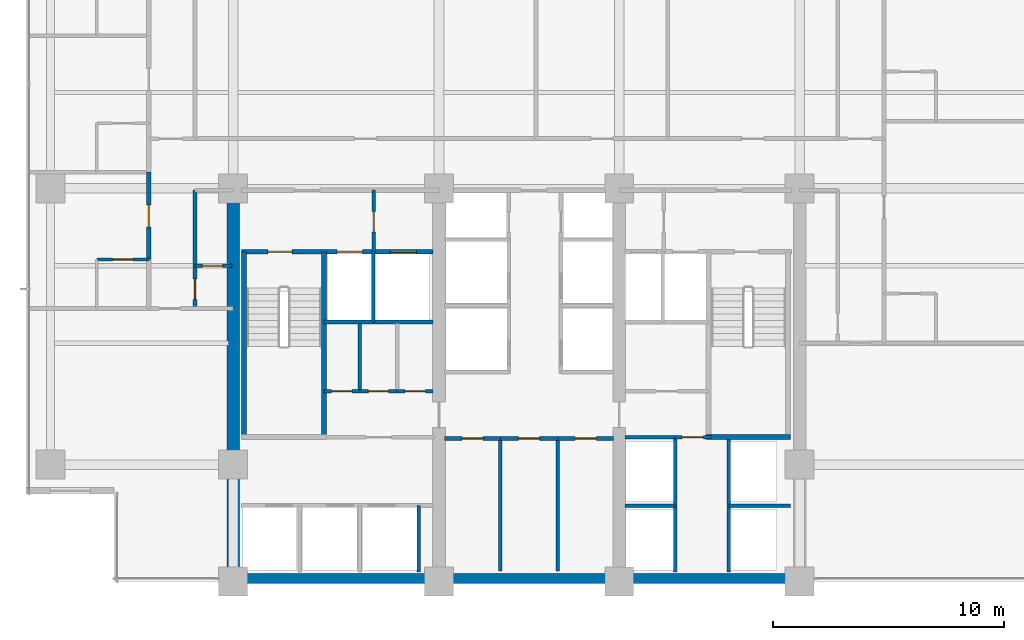
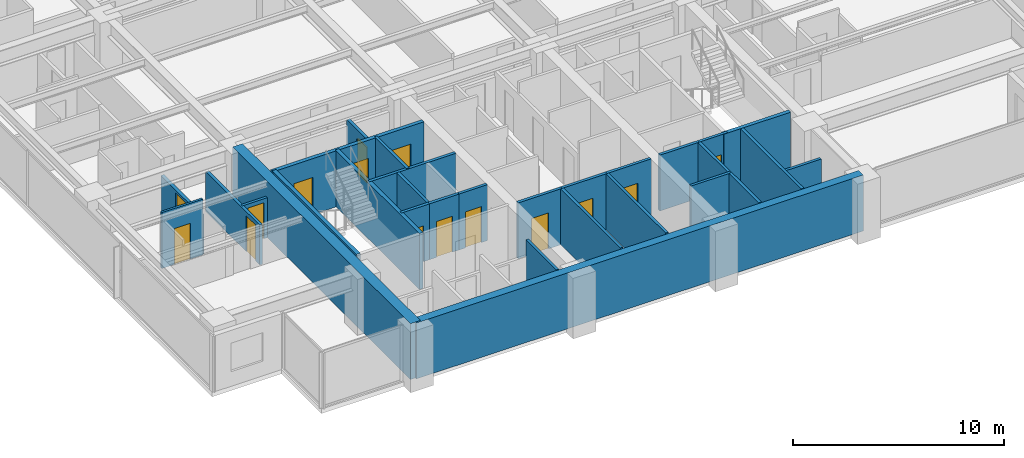
# One storey, part 8 of 18: 29 walls, 15 doors, 15 openings.
"""IFC4 building model written with IfcOpenShell, lengths in metres."""

from ifc_helpers import new_model, si_unit, direction, frame, frame_2d, origin, place, context, subcontext, project, spatial, rectangle, extrude, material, layer, layer_set, type_object, element, fill, save


model = new_model("IFC4")

# Units and contexts
model_context = context("Model", 3, precision=1e-05, world=origin(), true_north=direction((0.0, 1.0)))
body_context = subcontext(model_context, "Body", "Model", "MODEL_VIEW")
ifc_project = project(units=[si_unit("LENGTHUNIT", "METRE"), si_unit("AREAUNIT", "SQUARE_METRE"), si_unit("VOLUMEUNIT", "CUBIC_METRE"), si_unit("PLANEANGLEUNIT", "RADIAN"), si_unit("MASSUNIT", "GRAM", prefix="KILO")], contexts=[model_context])

# Site, building, storey
site_placement = place(None, origin())
site = spatial("IfcSite", under=ifc_project, at=site_placement, CompositionType="ELEMENT")
building_placement = place(site_placement, origin())
building = spatial("IfcBuilding", under=site, at=building_placement, Name="Qalmaran Belvedere Hotel", CompositionType="ELEMENT")
storey_placement = place(building_placement, frame((0.0, 0.0, 95.199951171875)))
storey = spatial("IfcBuildingStorey", under=building, at=storey_placement, Name="L23", CompositionType="ELEMENT", Elevation=95.199951171875)

# Walls
ifc_material_1 = material(Name="Concrete C60/75", Category="concrete")
ifc_layer_1 = layer(ifc_material_1, 0.550048828125, Name="Concrete C60/75")
ifc_layer_set_1 = layer_set([ifc_layer_1], Name="Concrete C60/75")
wall_type_1 = type_object("IfcWallType", Name="WL-CORE-550-C60", PredefinedType="SHEAR", material=ifc_layer_set_1)
wall_1_placement = place(storey_placement, frame((20.300048828125, 3.5, 0.0), z_axis=(0.0, 0.0, 1.0), x_axis=(0.0, 1.0, 0.0)))
element("IfcWall", 1, at=wall_1_placement, inside=storey, type_object=wall_type_1, Name="L23 West Core Shear Wall", PredefinedType="SHEAR", context=body_context, shape_type="SweptSolid", body=[
    extrude(rectangle(XDim=16.89990234375, YDim=0.550048828125, at=frame_2d((8.449951171875, 0.0))), origin(), (0.0, 0.0, 1.0), 3.239990234375),
])
ifc_material_2 = material(Name="Concrete C50/60", Category="concrete")
ifc_layer_2 = layer(ifc_material_2, 0.43994140625, Name="Concrete C50/60")
ifc_layer_set_2 = layer_set([ifc_layer_2], Name="Concrete C50/60")
wall_type_2 = type_object("IfcWallType", Name="WL-CORES-440-EXT", PredefinedType="SHEAR", material=ifc_layer_set_2)
wall_2_placement = place(storey_placement, frame((20.300048828125, 3.6298828125, 0.0), z_axis=(0.0, 0.0, 1.0), x_axis=(1.0, 0.0, 0.0)))
element("IfcWall", 2, at=wall_2_placement, inside=storey, type_object=wall_type_2, Name="L23 South Core Shear Wall", PredefinedType="SHEAR", context=body_context, shape_type="SweptSolid", body=[
    extrude(rectangle(XDim=24.5, YDim=0.43994140625, at=frame_2d((12.25, 0.0))), origin(), (0.0, 0.0, 1.0), 3.239990234375),
])

# Wall, opening, door
ifc_material_3 = material(Name="Moisture-Resistant Gypsum")
ifc_layer_3 = layer(ifc_material_3, 0.1201171875, Name="Moisture-Resistant Gypsum")
ifc_layer_set_3 = layer_set([ifc_layer_3], Name="Moisture-Resistant Gypsum")
wall_type_3 = type_object("IfcWallType", Name="WL-INT-120-BATH", PredefinedType="PARTITIONING", material=ifc_layer_set_3)
wall_3_placement = place(storey_placement, frame((14.39990234375, 17.419921875, 0.0), z_axis=(0.0, 0.0, 1.0), x_axis=(1.0, 0.0, 0.0)))
wall_3 = element("IfcWall", 3, at=wall_3_placement, inside=storey, type_object=wall_type_3, Name="L23 Partition WL-L23-WBN00", PredefinedType="PARTITIONING", context=body_context, shape_type="SweptSolid", body=[
    extrude(rectangle(XDim=2.25, YDim=0.1201171875, at=frame_2d((1.125, 0.0))), origin(), (0.0, 0.0, 1.0), 3.239990234375),
])
opening_1_placement = place(wall_3_placement, frame((1.56494140625, 0.0, 0.0), z_axis=(0.0, 0.0, 1.0), x_axis=(-1.0, 0.0, 0.0)))
opening_1 = element("IfcOpeningElement", 4, at=opening_1_placement, cuts=wall_3, Name="Opening D-BATH", PredefinedType="OPENING", context=body_context, shape_type="SweptSolid", body=[
    extrude(rectangle(XDim=0.8798828125, YDim=2.080078125, at=frame_2d((0.43994140625, 1.0400390625))), frame((0.0, 0.070068359375, 0.0), z_axis=(0.0, -1.0, 0.0), x_axis=(1.0, 0.0, 0.0)), (0.0, 0.0, 1.0), 0.14013671875),
])
ifc_material_4 = material(Name="Engineered Oak Veneer")
door_type_1 = type_object("IfcDoorType", Name="DR-INT-BATH-880X2080", OperationType="NOTDEFINED", PredefinedType="DOOR", material=ifc_material_4)
door_1_placement = place(opening_1_placement, origin())
door_1 = element("IfcDoor", 5, at=door_1_placement, inside=storey, type_object=door_type_1, Name="L23 W Ensuite Door 01", OperationType="SINGLE_SWING_LEFT", OverallHeight=2.080078125, OverallWidth=0.8798828125, PredefinedType="DOOR", context=body_context, shape_type="SweptSolid", body=[
    extrude(rectangle(XDim=0.8798828125, YDim=2.080078125, at=frame_2d((0.43994140625, 1.0400390625))), frame((0.0, 0.02490234375, 0.0), z_axis=(0.0, -1.0, 0.0), x_axis=(1.0, 0.0, 0.0)), (0.0, 0.0, 1.0), 0.050048828125),
])
fill(opening_1, door_1)

ifc_material_5 = material(Name="Gypsum Stud Partition")
ifc_layer_4 = layer(ifc_material_5, 0.139892578125, Name="Gypsum Stud Partition")
ifc_layer_set_4 = layer_set([ifc_layer_4], Name="Gypsum Stud Partition")
wall_type_4 = type_object("IfcWallType", Name="WL-INT-140-NR", PredefinedType="PARTITIONING", material=ifc_layer_set_4)
wall_4_placement = place(storey_placement, frame((18.64990234375, 17.14990234375, 0.0), z_axis=(0.0, 0.0, 1.0), x_axis=(1.0, 0.0, 0.0)))
wall_4 = element("IfcWall", 6, at=wall_4_placement, inside=storey, type_object=wall_type_4, Name="L23 Partition WL-L23-WCLSUB", PredefinedType="PARTITIONING", context=body_context, shape_type="SweptSolid", body=[
    extrude(rectangle(XDim=1.60009765625, YDim=0.139892578125, at=frame_2d((0.800048828125, 0.0))), origin(), (0.0, 0.0, 1.0), 2.31298828125),
])
opening_2_placement = place(wall_4_placement, frame((1.193115234375, 0.0, 0.0), z_axis=(0.0, 0.0, 1.0), x_axis=(-1.0, 0.0, 0.0)))
opening_2 = element("IfcOpeningElement", 7, at=opening_2_placement, cuts=wall_4, Name="Opening D-BATH", PredefinedType="OPENING", context=body_context, shape_type="SweptSolid", body=[
    extrude(rectangle(XDim=0.8798828125, YDim=2.080078125, at=frame_2d((0.43994140625, 1.0400390625))), frame((0.0, 0.080078125, 0.0), z_axis=(0.0, -1.0, 0.0), x_axis=(1.0, 0.0, 0.0)), (0.0, 0.0, 1.0), 0.159912109375),
])
door_2_placement = place(opening_2_placement, origin())
door_2 = element("IfcDoor", 8, at=door_2_placement, inside=storey, type_object=door_type_1, Name="L23 Closet Alcove Door", OperationType="SINGLE_SWING_RIGHT", OverallHeight=2.080078125, OverallWidth=0.8798828125, PredefinedType="DOOR", context=body_context, shape_type="SweptSolid", body=[
    extrude(rectangle(XDim=0.8798828125, YDim=2.080078125, at=frame_2d((0.43994140625, 1.0400390625))), frame((0.0, 0.02490234375, 0.0), z_axis=(0.0, -1.0, 0.0), x_axis=(1.0, 0.0, 0.0)), (0.0, 0.0, 1.0), 0.050048828125),
])
fill(opening_2, door_2)

# Walls
ifc_layer_5 = layer(ifc_material_5, 0.14990234375, Name="Gypsum Stud Partition")
ifc_layer_set_5 = layer_set([ifc_layer_5], Name="Gypsum Stud Partition")
wall_type_5 = type_object("IfcWallType", Name="WL-INT-150-EI120", PredefinedType="PARTITIONING", material=ifc_layer_set_5)
wall_5_placement = place(storey_placement, frame((26.360107421875, 14.719970703125, 0.0), z_axis=(0.0, 0.0, 1.0), x_axis=(0.0, 1.0, 0.0)))
element("IfcWall", 9, at=wall_5_placement, inside=storey, type_object=wall_type_5, Name="L23 Partition WL-FF1M-L23", PredefinedType="PARTITIONING", context=body_context, shape_type="SweptSolid", body=[
    extrude(rectangle(XDim=3.0400390625, YDim=0.14990234375, at=frame_2d((1.52001953125, 0.0))), origin(), (0.0, 0.0, 1.0), 3.239990234375),
])
wall_6_placement = place(storey_placement, frame((28.320068359375, 3.89990234375, 0.0), z_axis=(0.0, 0.0, 1.0), x_axis=(0.0, 1.0, 0.0)))
element("IfcWall", 10, at=wall_6_placement, inside=storey, type_object=wall_type_5, Name="L23 Partition WL-POM3-L23", PredefinedType="PARTITIONING", context=body_context, shape_type="SweptSolid", body=[
    extrude(rectangle(XDim=2.880126953125, YDim=0.14990234375, at=frame_2d((1.43994140625, 0.0))), origin(), (0.0, 0.0, 1.0), 3.239990234375),
])
wall_7_placement = place(storey_placement, frame((37.25, 6.780029296875, 0.0), z_axis=(0.0, 0.0, 1.0), x_axis=(1.0, 0.0, 0.0)))
element("IfcWall", 11, at=wall_7_placement, inside=storey, type_object=wall_type_5, Name="L23 Partition WL-PHMW-L23", PredefinedType="PARTITIONING", context=body_context, shape_type="SweptSolid", body=[
    extrude(rectangle(XDim=2.169921875, YDim=0.14990234375, at=frame_2d((1.0849609375, 0.0))), origin(), (0.0, 0.0, 1.0), 3.239990234375),
])
wall_8_placement = place(storey_placement, frame((41.739990234375, 6.780029296875, 0.0), z_axis=(0.0, 0.0, 1.0), x_axis=(1.0, 0.0, 0.0)))
element("IfcWall", 12, at=wall_8_placement, inside=storey, type_object=wall_type_5, Name="L23 Partition WL-PHME-L23", PredefinedType="PARTITIONING", context=body_context, shape_type="SweptSolid", body=[
    extrude(rectangle(XDim=2.659912109375, YDim=0.14990234375, at=frame_2d((1.330078125, 0.0))), origin(), (0.0, 0.0, 1.0), 2.31298828125),
])
ifc_layer_6 = layer(ifc_material_5, 0.14990234375, Name="Gypsum Stud Partition")
ifc_layer_set_6 = layer_set([ifc_layer_6], Name="Gypsum Stud Partition")
wall_type_6 = type_object("IfcWallType", Name="WL-INT-150-EI60", PredefinedType="PARTITIONING", material=ifc_layer_set_6)
wall_9_placement = place(storey_placement, frame((25.781005859375, 11.719970703125, 0.0), z_axis=(0.0, 0.0, 1.0), x_axis=(0.0, 1.0, 0.0)))
element("IfcWall", 13, at=wall_9_placement, inside=storey, type_object=wall_type_6, Name="L23 Partition WL-L23-KWV1", PredefinedType="PARTITIONING", context=body_context, shape_type="SweptSolid", body=[
    extrude(rectangle(XDim=2.929931640625, YDim=0.14990234375, at=frame_2d((1.46484375, 0.0))), origin(), (0.0, 0.0, 1.0), 3.239990234375),
])
for number, where, z_axis, x_axis, name in (
    (14, (31.85888671875, 3.949951171875, 0.0), (0.0, 0.0, 1.0), (0.0, 1.0, 0.0), "L23 Partition WL-L23-KPLV1"),
    (15, (34.341064453125, 3.949951171875, 0.0), (0.0, 0.0, 1.0), (0.0, 1.0, 0.0), "L23 Partition WL-L23-KPLV2"),
):
    element("IfcWall", number, at=place(storey_placement, frame(where, z_axis=z_axis, x_axis=x_axis)), inside=storey, type_object=wall_type_6, Name=name, PredefinedType="PARTITIONING", context=body_context, shape_type="SweptSolid", body=[
        extrude(rectangle(XDim=5.72998046875, YDim=0.14990234375, at=frame_2d((2.864990234375, 0.0))), origin(), (0.0, 0.0, 1.0), 3.239990234375),
    ])

# Wall, opening, door
ifc_layer_7 = layer(ifc_material_5, 0.159912109375, Name="Gypsum Stud Partition")
ifc_layer_set_7 = layer_set([ifc_layer_7], Name="Gypsum Stud Partition")
wall_type_7 = type_object("IfcWallType", Name="WL-INT-160-EI120", PredefinedType="PARTITIONING", material=ifc_layer_set_7)
wall_10_placement = place(storey_placement, frame((26.3798828125, 17.760009765625, 0.0), z_axis=(0.0, 0.0, 1.0), x_axis=(0.0, 1.0, 0.0)))
wall_10 = element("IfcWall", 16, at=wall_10_placement, inside=storey, type_object=wall_type_7, Name="L23 Partition WL-FFSV1-L23", PredefinedType="PARTITIONING", context=body_context, shape_type="SweptSolid", body=[
    extrude(rectangle(XDim=2.659912109375, YDim=0.159912109375, at=frame_2d((1.330078125, 0.0))), origin(), (0.0, 0.0, 1.0), 2.614013671875),
])
opening_3_placement = place(wall_10_placement, frame((0.85009765625, 0.0, 0.0)))
opening_3 = element("IfcOpeningElement", 17, at=opening_3_placement, cuts=wall_10, Name="Opening FD60B", PredefinedType="OPENING", context=body_context, shape_type="SweptSolid", body=[
    extrude(rectangle(XDim=0.8798828125, YDim=2.080078125, at=frame_2d((0.43994140625, 1.0400390625))), frame((0.0, 0.08984375, 0.0), z_axis=(0.0, -1.0, 0.0), x_axis=(1.0, 0.0, 0.0)), (0.0, 0.0, 1.0), 0.179931640625),
])
ifc_material_6 = material(Name="Steel S355JR", Category="steel")
door_type_2 = type_object("IfcDoorType", Name="DR-FD60B-880X2080", OperationType="NOTDEFINED", PredefinedType="DOOR", material=ifc_material_6)
door_3_placement = place(opening_3_placement, origin())
door_3 = element("IfcDoor", 18, at=door_3_placement, inside=storey, type_object=door_type_2, Name="L23 Service Lobby West Door", OperationType="SINGLE_SWING_RIGHT", OverallHeight=2.080078125, OverallWidth=0.8798828125, PredefinedType="DOOR", context=body_context, shape_type="SweptSolid", body=[
    extrude(rectangle(XDim=0.8798828125, YDim=2.080078125, at=frame_2d((0.43994140625, 1.0400390625))), frame((0.0, 0.02490234375, 0.0), z_axis=(0.0, -1.0, 0.0), x_axis=(1.0, 0.0, 0.0)), (0.0, 0.0, 1.0), 0.050048828125),
])
fill(opening_3, door_3)

# Walls
wall_11_placement = place(storey_placement, frame((24.219970703125, 14.719970703125, 0.0), z_axis=(0.0, 0.0, 1.0), x_axis=(1.0, 0.0, 0.0)))
element("IfcWall", 19, at=wall_11_placement, inside=storey, type_object=wall_type_7, Name="L23 Partition WL-FF1S-L23", PredefinedType="PARTITIONING", context=body_context, shape_type="SweptSolid", body=[
    extrude(rectangle(XDim=4.72998046875, YDim=0.159912109375, at=frame_2d((2.364990234375, 0.0))), origin(), (0.0, 0.0, 1.0), 3.239990234375),
])
for number, where, z_axis, x_axis, name in (
    (20, (39.419921875, 3.89990234375, 0.0), (0.0, 0.0, 1.0), (0.0, 1.0, 0.0), "L23 Partition WL-PHW-L23"),
    (21, (41.739990234375, 3.89990234375, 0.0), (0.0, 0.0, 1.0), (0.0, 1.0, 0.0), "L23 Partition WL-PHE-L23"),
):
    element("IfcWall", number, at=place(storey_placement, frame(where, z_axis=z_axis, x_axis=x_axis)), inside=storey, type_object=wall_type_7, Name=name, PredefinedType="PARTITIONING", context=body_context, shape_type="SweptSolid", body=[
        extrude(rectangle(XDim=5.840087890625, YDim=0.159912109375, at=frame_2d((2.919921875, 0.0))), origin(), (0.0, 0.0, 1.0), 3.239990234375),
    ])
wall_12_placement = place(storey_placement, frame((37.25, 9.739990234375, 0.0), z_axis=(0.0, 0.0, 1.0), x_axis=(1.0, 0.0, 0.0)))
element("IfcWall", 22, at=wall_12_placement, inside=storey, type_object=wall_type_7, Name="L23 Partition WL-PHNW-L23", PredefinedType="PARTITIONING", context=body_context, shape_type="SweptSolid", body=[
    extrude(rectangle(XDim=2.169921875, YDim=0.159912109375, at=frame_2d((1.0849609375, 0.0))), origin(), (0.0, 0.0, 1.0), 3.239990234375),
])

# Wall, opening, door
wall_13_placement = place(storey_placement, frame((39.419921875, 9.739990234375, 0.0), z_axis=(0.0, 0.0, 1.0), x_axis=(1.0, 0.0, 0.0)))
wall_13 = element("IfcWall", 23, at=wall_13_placement, inside=storey, type_object=wall_type_7, Name="L23 Partition WL-PHNL-L23", PredefinedType="PARTITIONING", context=body_context, shape_type="SweptSolid", body=[
    extrude(rectangle(XDim=1.56005859375, YDim=0.159912109375, at=frame_2d((0.780029296875, 0.0))), origin(), (0.0, 0.0, 1.0), 3.239990234375),
])
opening_4_placement = place(wall_13_placement, frame((0.300048828125, 0.0, 0.0)))
opening_4 = element("IfcOpeningElement", 24, at=opening_4_placement, cuts=wall_13, Name="Opening FD60S1", PredefinedType="OPENING", context=body_context, shape_type="SweptSolid", body=[
    extrude(rectangle(XDim=0.919921875, YDim=2.080078125, at=frame_2d((0.4599609375, 1.0400390625))), frame((0.0, 0.08984375, 0.0), z_axis=(0.0, -1.0, 0.0), x_axis=(1.0, 0.0, 0.0)), (0.0, 0.0, 1.0), 0.179931640625),
])
door_type_3 = type_object("IfcDoorType", Name="DR-FD60S-920X2080", OperationType="NOTDEFINED", PredefinedType="DOOR", material=ifc_material_4)
door_4_placement = place(opening_4_placement, origin())
door_4 = element("IfcDoor", 25, at=door_4_placement, inside=storey, type_object=door_type_3, Name="L23 High-Rise Lift Lobby Passage Door", OperationType="SINGLE_SWING_RIGHT", OverallHeight=2.080078125, OverallWidth=0.919921875, PredefinedType="DOOR", context=body_context, shape_type="SweptSolid", body=[
    extrude(rectangle(XDim=0.919921875, YDim=2.080078125, at=frame_2d((0.4599609375, 1.0400390625))), frame((0.0, 0.02490234375, 0.0), z_axis=(0.0, -1.0, 0.0), x_axis=(1.0, 0.0, 0.0)), (0.0, 0.0, 1.0), 0.050048828125),
])
fill(opening_4, door_4)

ifc_layer_8 = layer(ifc_material_5, 0.159912109375, Name="Gypsum Stud Partition")
ifc_layer_set_8 = layer_set([ifc_layer_8], Name="Gypsum Stud Partition")
wall_type_8 = type_object("IfcWallType", Name="WL-INT-160-EI60", PredefinedType="PARTITIONING", material=ifc_layer_set_8)
wall_14_placement = place(storey_placement, frame((24.219970703125, 11.719970703125, 0.0), z_axis=(0.0, 0.0, 1.0), x_axis=(1.0, 0.0, 0.0)))
wall_14 = element("IfcWall", 26, at=wall_14_placement, inside=storey, type_object=wall_type_8, Name="L23 Partition WL-L23-KWE1", PredefinedType="PARTITIONING", context=body_context, shape_type="SweptSolid", body=[
    extrude(rectangle(XDim=1.56103515625, YDim=0.159912109375, at=frame_2d((0.780517578125, 0.0))), origin(), (0.0, 0.0, 1.0), 3.239990234375),
])
opening_5_placement = place(wall_14_placement, frame((0.340576171875, 0.0, 0.0)))
opening_5 = element("IfcOpeningElement", 27, at=opening_5_placement, cuts=wall_14, Name="Opening FD60B", PredefinedType="OPENING", context=body_context, shape_type="SweptSolid", body=[
    extrude(rectangle(XDim=0.8798828125, YDim=2.080078125, at=frame_2d((0.43994140625, 1.0400390625))), frame((0.0, 0.08984375, 0.0), z_axis=(0.0, -1.0, 0.0), x_axis=(1.0, 0.0, 0.0)), (0.0, 0.0, 1.0), 0.179931640625),
])
door_5_placement = place(opening_5_placement, origin())
door_5 = element("IfcDoor", 28, at=door_5_placement, inside=storey, type_object=door_type_2, Name="L23 Staff Core WC Door", OperationType="SINGLE_SWING_LEFT", OverallHeight=2.080078125, OverallWidth=0.8798828125, PredefinedType="DOOR", context=body_context, shape_type="SweptSolid", body=[
    extrude(rectangle(XDim=0.8798828125, YDim=2.080078125, at=frame_2d((0.43994140625, 1.0400390625))), frame((0.0, 0.02490234375, 0.0), z_axis=(0.0, -1.0, 0.0), x_axis=(1.0, 0.0, 0.0)), (0.0, 0.0, 1.0), 0.050048828125),
])
fill(opening_5, door_5)

wall_15_placement = place(storey_placement, frame((25.781005859375, 11.719970703125, 0.0), z_axis=(0.0, 0.0, 1.0), x_axis=(1.0, 0.0, 0.0)))
wall_15 = element("IfcWall", 29, at=wall_15_placement, inside=storey, type_object=wall_type_8, Name="L23 Partition WL-L23-KWE2", PredefinedType="PARTITIONING", context=body_context, shape_type="SweptSolid", body=[
    extrude(rectangle(XDim=1.608154296875, YDim=0.159912109375, at=frame_2d((0.80419921875, 0.0))), origin(), (0.0, 0.0, 1.0), 3.239990234375),
])
opening_6_placement = place(wall_15_placement, frame((0.364013671875, 0.0, 0.0)))
opening_6 = element("IfcOpeningElement", 30, at=opening_6_placement, cuts=wall_15, Name="Opening FD60B", PredefinedType="OPENING", context=body_context, shape_type="SweptSolid", body=[
    extrude(rectangle(XDim=0.8798828125, YDim=2.080078125, at=frame_2d((0.43994140625, 1.0400390625))), frame((0.0, 0.08984375, 0.0), z_axis=(0.0, -1.0, 0.0), x_axis=(1.0, 0.0, 0.0)), (0.0, 0.0, 1.0), 0.179931640625),
])
door_6_placement = place(opening_6_placement, origin())
door_6 = element("IfcDoor", 31, at=door_6_placement, inside=storey, type_object=door_type_2, Name="L23 Electrical Distribution Room Door", OperationType="SINGLE_SWING_RIGHT", OverallHeight=2.080078125, OverallWidth=0.8798828125, PredefinedType="DOOR", context=body_context, shape_type="SweptSolid", body=[
    extrude(rectangle(XDim=0.8798828125, YDim=2.080078125, at=frame_2d((0.43994140625, 1.0400390625))), frame((0.0, 0.02490234375, 0.0), z_axis=(0.0, -1.0, 0.0), x_axis=(1.0, 0.0, 0.0)), (0.0, 0.0, 1.0), 0.050048828125),
])
fill(opening_6, door_6)

wall_16_placement = place(storey_placement, frame((27.38916015625, 11.719970703125, 0.0), z_axis=(0.0, 0.0, 1.0), x_axis=(1.0, 0.0, 0.0)))
wall_16 = element("IfcWall", 32, at=wall_16_placement, inside=storey, type_object=wall_type_8, Name="L23 Partition WL-L23-KWE3", PredefinedType="PARTITIONING", context=body_context, shape_type="SweptSolid", body=[
    extrude(rectangle(XDim=1.560791015625, YDim=0.159912109375, at=frame_2d((0.7802734375, 0.0))), origin(), (0.0, 0.0, 1.0), 3.239990234375),
])
opening_7_placement = place(wall_16_placement, frame((0.340576171875, 0.0, 0.0)))
opening_7 = element("IfcOpeningElement", 33, at=opening_7_placement, cuts=wall_16, Name="Opening FD60B", PredefinedType="OPENING", context=body_context, shape_type="SweptSolid", body=[
    extrude(rectangle(XDim=0.8798828125, YDim=2.080078125, at=frame_2d((0.43994140625, 1.0400390625))), frame((0.0, 0.08984375, 0.0), z_axis=(0.0, -1.0, 0.0), x_axis=(1.0, 0.0, 0.0)), (0.0, 0.0, 1.0), 0.179931640625),
])
door_7_placement = place(opening_7_placement, origin())
door_7 = element("IfcDoor", 34, at=door_7_placement, inside=storey, type_object=door_type_2, Name="L23 Telecom and IT Room Door", OperationType="SINGLE_SWING_LEFT", OverallHeight=2.080078125, OverallWidth=0.8798828125, PredefinedType="DOOR", context=body_context, shape_type="SweptSolid", body=[
    extrude(rectangle(XDim=0.8798828125, YDim=2.080078125, at=frame_2d((0.43994140625, 1.0400390625))), frame((0.0, 0.02490234375, 0.0), z_axis=(0.0, -1.0, 0.0), x_axis=(1.0, 0.0, 0.0)), (0.0, 0.0, 1.0), 0.050048828125),
])
fill(opening_7, door_7)

wall_17_placement = place(storey_placement, frame((29.449951171875, 9.679931640625, 0.0), z_axis=(0.0, 0.0, 1.0), x_axis=(1.0, 0.0, 0.0)))
wall_17 = element("IfcWall", 35, at=wall_17_placement, inside=storey, type_object=wall_type_8, Name="L23 Partition WL-L23-KPLE1", PredefinedType="PARTITIONING", context=body_context, shape_type="SweptSolid", body=[
    extrude(rectangle(XDim=2.408935546875, YDim=0.159912109375, at=frame_2d((1.20458984375, 0.0))), origin(), (0.0, 0.0, 1.0), 3.239990234375),
])
opening_8_placement = place(wall_17_placement, frame((1.664306640625, 0.0, 0.0), z_axis=(0.0, 0.0, 1.0), x_axis=(-1.0, 0.0, 0.0)))
opening_8 = element("IfcOpeningElement", 36, at=opening_8_placement, cuts=wall_17, Name="Opening FD60S1", PredefinedType="OPENING", context=body_context, shape_type="SweptSolid", body=[
    extrude(rectangle(XDim=0.919921875, YDim=2.080078125, at=frame_2d((0.4599609375, 1.0400390625))), frame((0.0, 0.08984375, 0.0), z_axis=(0.0, -1.0, 0.0), x_axis=(1.0, 0.0, 0.0)), (0.0, 0.0, 1.0), 0.179931640625),
])
door_8_placement = place(opening_8_placement, origin())
door_8 = element("IfcDoor", 37, at=door_8_placement, inside=storey, type_object=door_type_3, Name="L23 Housekeeping and Linen Room Door", OperationType="SINGLE_SWING_LEFT", OverallHeight=2.080078125, OverallWidth=0.919921875, PredefinedType="DOOR", context=body_context, shape_type="SweptSolid", body=[
    extrude(rectangle(XDim=0.919921875, YDim=2.080078125, at=frame_2d((0.4599609375, 1.0400390625))), frame((0.0, 0.02490234375, 0.0), z_axis=(0.0, -1.0, 0.0), x_axis=(1.0, 0.0, 0.0)), (0.0, 0.0, 1.0), 0.050048828125),
])
fill(opening_8, door_8)

wall_18_placement = place(storey_placement, frame((31.85888671875, 9.679931640625, 0.0), z_axis=(0.0, 0.0, 1.0), x_axis=(1.0, 0.0, 0.0)))
wall_18 = element("IfcWall", 38, at=wall_18_placement, inside=storey, type_object=wall_type_8, Name="L23 Partition WL-L23-KPLE2", PredefinedType="PARTITIONING", context=body_context, shape_type="SweptSolid", body=[
    extrude(rectangle(XDim=2.482177734375, YDim=0.159912109375, at=frame_2d((1.2412109375, 0.0))), origin(), (0.0, 0.0, 1.0), 3.239990234375),
])
opening_9_placement = place(wall_18_placement, frame((1.700927734375, 0.0, 0.0), z_axis=(0.0, 0.0, 1.0), x_axis=(-1.0, 0.0, 0.0)))
opening_9 = element("IfcOpeningElement", 39, at=opening_9_placement, cuts=wall_18, Name="Opening FD60S1", PredefinedType="OPENING", context=body_context, shape_type="SweptSolid", body=[
    extrude(rectangle(XDim=0.919921875, YDim=2.080078125, at=frame_2d((0.4599609375, 1.0400390625))), frame((0.0, 0.08984375, 0.0), z_axis=(0.0, -1.0, 0.0), x_axis=(1.0, 0.0, 0.0)), (0.0, 0.0, 1.0), 0.179931640625),
])
door_9_placement = place(opening_9_placement, origin())
door_9 = element("IfcDoor", 40, at=door_9_placement, inside=storey, type_object=door_type_3, Name="L23 Hotel Butler Service Pantry Door", OperationType="SINGLE_SWING_RIGHT", OverallHeight=2.080078125, OverallWidth=0.919921875, PredefinedType="DOOR", context=body_context, shape_type="SweptSolid", body=[
    extrude(rectangle(XDim=0.919921875, YDim=2.080078125, at=frame_2d((0.4599609375, 1.0400390625))), frame((0.0, 0.02490234375, 0.0), z_axis=(0.0, -1.0, 0.0), x_axis=(1.0, 0.0, 0.0)), (0.0, 0.0, 1.0), 0.050048828125),
])
fill(opening_9, door_9)

wall_19_placement = place(storey_placement, frame((34.341064453125, 9.679931640625, 0.0), z_axis=(0.0, 0.0, 1.0), x_axis=(1.0, 0.0, 0.0)))
wall_19 = element("IfcWall", 41, at=wall_19_placement, inside=storey, type_object=wall_type_8, Name="L23 Partition WL-L23-KPLE3", PredefinedType="PARTITIONING", context=body_context, shape_type="SweptSolid", body=[
    extrude(rectangle(XDim=2.408935546875, YDim=0.159912109375, at=frame_2d((1.20458984375, 0.0))), origin(), (0.0, 0.0, 1.0), 3.239990234375),
])
opening_10_placement = place(wall_19_placement, frame((1.664306640625, 0.0, 0.0), z_axis=(0.0, 0.0, 1.0), x_axis=(-1.0, 0.0, 0.0)))
opening_10 = element("IfcOpeningElement", 42, at=opening_10_placement, cuts=wall_19, Name="Opening FD60S1", PredefinedType="OPENING", context=body_context, shape_type="SweptSolid", body=[
    extrude(rectangle(XDim=0.919921875, YDim=2.080078125, at=frame_2d((0.4599609375, 1.0400390625))), frame((0.0, 0.08984375, 0.0), z_axis=(0.0, -1.0, 0.0), x_axis=(1.0, 0.0, 0.0)), (0.0, 0.0, 1.0), 0.179931640625),
])
door_10_placement = place(opening_10_placement, origin())
door_10 = element("IfcDoor", 43, at=door_10_placement, inside=storey, type_object=door_type_3, Name="L23 Guest Valet Supply Store Door", OperationType="SINGLE_SWING_LEFT", OverallHeight=2.080078125, OverallWidth=0.919921875, PredefinedType="DOOR", context=body_context, shape_type="SweptSolid", body=[
    extrude(rectangle(XDim=0.919921875, YDim=2.080078125, at=frame_2d((0.4599609375, 1.0400390625))), frame((0.0, 0.02490234375, 0.0), z_axis=(0.0, -1.0, 0.0), x_axis=(1.0, 0.0, 0.0)), (0.0, 0.0, 1.0), 0.050048828125),
])
fill(opening_10, door_10)

wall_20_placement = place(storey_placement, frame((18.64990234375, 15.300048828125, 0.0), z_axis=(0.0, 0.0, 1.0), x_axis=(0.0, 1.0, 0.0)))
wall_20 = element("IfcWall", 44, at=wall_20_placement, inside=storey, type_object=wall_type_8, Name="L23 Partition WL-L23-WCL", PredefinedType="PARTITIONING", context=body_context, shape_type="SweptSolid", body=[
    extrude(rectangle(XDim=5.119873046875, YDim=0.159912109375, at=frame_2d((2.56005859375, 0.0))), origin(), (0.0, 0.0, 1.0), 2.31298828125),
])
opening_11_placement = place(wall_20_placement, frame((1.27978515625, 0.0, 0.0), z_axis=(0.0, 0.0, 1.0), x_axis=(-1.0, 0.0, 0.0)))
opening_11 = element("IfcOpeningElement", 45, at=opening_11_placement, cuts=wall_20, Name="Opening FD60B", PredefinedType="OPENING", context=body_context, shape_type="SweptSolid", body=[
    extrude(rectangle(XDim=0.8798828125, YDim=2.080078125, at=frame_2d((0.43994140625, 1.0400390625))), frame((0.0, 0.08984375, 0.0), z_axis=(0.0, -1.0, 0.0), x_axis=(1.0, 0.0, 0.0)), (0.0, 0.0, 1.0), 0.179931640625),
])
door_11_placement = place(opening_11_placement, origin())
door_11 = element("IfcDoor", 46, at=door_11_placement, inside=storey, type_object=door_type_2, Name="L23 West Closet Door", OperationType="SINGLE_SWING_RIGHT", OverallHeight=2.080078125, OverallWidth=0.8798828125, PredefinedType="DOOR", context=body_context, shape_type="SweptSolid", body=[
    extrude(rectangle(XDim=0.8798828125, YDim=2.080078125, at=frame_2d((0.43994140625, 1.0400390625))), frame((0.0, 0.02490234375, 0.0), z_axis=(0.0, -1.0, 0.0), x_axis=(1.0, 0.0, 0.0)), (0.0, 0.0, 1.0), 0.050048828125),
])
fill(opening_11, door_11)

ifc_layer_9 = layer(ifc_material_5, 0.179931640625, Name="Gypsum Stud Partition")
ifc_layer_set_9 = layer_set([ifc_layer_9], Name="Gypsum Stud Partition")
wall_type_9 = type_object("IfcWallType", Name="WL-INT-180-EI60", PredefinedType="PARTITIONING", material=ifc_layer_set_9)
wall_21_placement = place(storey_placement, frame((16.64990234375, 17.419921875, 0.0), z_axis=(0.0, 0.0, 1.0), x_axis=(0.0, 1.0, 0.0)))
wall_21 = element("IfcWall", 47, at=wall_21_placement, inside=storey, type_object=wall_type_9, Name="L23 Partition WL-L23-WEC00", PredefinedType="PARTITIONING", context=body_context, shape_type="SweptSolid", body=[
    extrude(rectangle(XDim=3.780029296875, YDim=0.179931640625, at=frame_2d((1.89013671875, 0.0))), origin(), (0.0, 0.0, 1.0), 2.31298828125),
])
opening_12_placement = place(wall_21_placement, frame((1.4150390625, 0.0, 0.0)))
opening_12 = element("IfcOpeningElement", 48, at=opening_12_placement, cuts=wall_21, Name="Opening FD60", PredefinedType="OPENING", context=body_context, shape_type="SweptSolid", body=[
    extrude(rectangle(XDim=0.949951171875, YDim=2.14990234375, at=frame_2d((0.47509765625, 1.074951171875))), frame((0.0, 0.10009765625, 0.0), z_axis=(0.0, -1.0, 0.0), x_axis=(1.0, 0.0, 0.0)), (0.0, 0.0, 1.0), 0.199951171875),
])
door_type_4 = type_object("IfcDoorType", Name="DR-FD60-950X2150", OperationType="NOTDEFINED", PredefinedType="DOOR", material=ifc_material_4)
door_12_placement = place(opening_12_placement, origin())
door_12 = element("IfcDoor", 49, at=door_12_placement, inside=storey, type_object=door_type_4, Name="L23 W Wing Door 01", OperationType="SINGLE_SWING_RIGHT", OverallHeight=2.14990234375, OverallWidth=0.949951171875, PredefinedType="DOOR", context=body_context, shape_type="SweptSolid", body=[
    extrude(rectangle(XDim=0.949951171875, YDim=2.14990234375, at=frame_2d((0.47509765625, 1.074951171875))), frame((0.0, 0.02490234375, 0.0), z_axis=(0.0, -1.0, 0.0), x_axis=(1.0, 0.0, 0.0)), (0.0, 0.0, 1.0), 0.050048828125),
])
fill(opening_12, door_12)

# Walls
ifc_layer_10 = layer(ifc_material_2, 0.2099609375, Name="Concrete C50/60")
ifc_layer_set_10 = layer_set([ifc_layer_10], Name="Concrete C50/60")
wall_type_10 = type_object("IfcWallType", Name="WL-STAIR-210-C50", PredefinedType="SHEAR", material=ifc_layer_set_10)
for number, where, z_axis, x_axis, name in (
    (50, (20.77490234375, 9.7451171875, 0.0), (0.0, 0.0, 1.0), (0.0, 1.0, 0.0), "L23 Stair ST-1 West Bearing Wall"),
    (51, (24.22509765625, 9.7451171875, 0.0), (0.0, 0.0, 1.0), (0.0, 1.0, 0.0), "L23 Stair ST-1 East Bearing Wall"),
):
    element("IfcWall", number, at=place(storey_placement, frame(where, z_axis=z_axis, x_axis=x_axis)), inside=storey, type_object=wall_type_10, Name=name, PredefinedType="SHEAR", context=body_context, shape_type="SweptSolid", body=[
        extrude(rectangle(XDim=8.009765625, YDim=0.2099609375, at=frame_2d((4.0048828125, 0.0))), origin(), (0.0, 0.0, 1.0), 3.239990234375),
    ])

# Wall, openings, doors
wall_22_placement = place(storey_placement, frame((20.64990234375, 17.7548828125, 0.0), z_axis=(0.0, 0.0, 1.0), x_axis=(1.0, 0.0, 0.0)))
wall_22 = element("IfcWall", 52, at=wall_22_placement, inside=storey, type_object=wall_type_10, Name="L23 West Lobby and Stair ST-1 North Bearing Wall", PredefinedType="SHEAR", context=body_context, shape_type="SweptSolid", body=[
    extrude(rectangle(XDim=8.300048828125, YDim=0.2099609375, at=frame_2d((4.14990234375, 0.0))), origin(), (0.0, 0.0, 1.0), 3.239990234375),
])
opening_13_placement = place(wall_22_placement, frame((2.199951171875, 0.0, 0.0), z_axis=(0.0, 0.0, 1.0), x_axis=(-1.0, 0.0, 0.0)))
opening_13 = element("IfcOpeningElement", 53, at=opening_13_placement, cuts=wall_22, Name="Opening FD90S2", PredefinedType="OPENING", context=body_context, shape_type="SweptSolid", body=[
    extrude(rectangle(XDim=1.050048828125, YDim=2.14990234375, at=frame_2d((0.52490234375, 1.074951171875))), frame((0.0, 0.114990234375, 0.0), z_axis=(0.0, -1.0, 0.0), x_axis=(1.0, 0.0, 0.0)), (0.0, 0.0, 1.0), 0.22998046875),
])
opening_14_placement = place(wall_22_placement, frame((4.14990234375, 0.0, 0.0)))
opening_14 = element("IfcOpeningElement", 54, at=opening_14_placement, cuts=wall_22, Name="Opening LD-FF", PredefinedType="OPENING", context=body_context, shape_type="SweptSolid", body=[
    extrude(rectangle(XDim=1.10009765625, YDim=2.179931640625, at=frame_2d((0.550048828125, 1.08984375))), frame((0.0, 0.114990234375, 0.0), z_axis=(0.0, -1.0, 0.0), x_axis=(1.0, 0.0, 0.0)), (0.0, 0.0, 1.0), 0.22998046875),
])
opening_15_placement = place(wall_22_placement, frame((6.449951171875, 0.0, 0.0)))
opening_15 = element("IfcOpeningElement", 55, at=opening_15_placement, cuts=wall_22, Name="Opening LD-SV", PredefinedType="OPENING", context=body_context, shape_type="SweptSolid", body=[
    extrude(rectangle(XDim=1.1201171875, YDim=2.199951171875, at=frame_2d((0.56005859375, 1.10009765625))), frame((0.0, 0.114990234375, 0.0), z_axis=(0.0, -1.0, 0.0), x_axis=(1.0, 0.0, 0.0)), (0.0, 0.0, 1.0), 0.22998046875),
])
door_type_5 = type_object("IfcDoorType", Name="DR-FD90S-1050X2150", OperationType="NOTDEFINED", PredefinedType="DOOR", material=ifc_material_6)
door_13_placement = place(opening_13_placement, origin())
door_13 = element("IfcDoor", 56, at=door_13_placement, inside=storey, type_object=door_type_5, Name="L23 Stair ST-1 Door", OperationType="SINGLE_SWING_RIGHT", OverallHeight=2.14990234375, OverallWidth=1.050048828125, PredefinedType="DOOR", context=body_context, shape_type="SweptSolid", body=[
    extrude(rectangle(XDim=1.050048828125, YDim=2.14990234375, at=frame_2d((0.52490234375, 1.074951171875))), frame((0.0, 0.02490234375, 0.0), z_axis=(0.0, -1.0, 0.0), x_axis=(1.0, 0.0, 0.0)), (0.0, 0.0, 1.0), 0.050048828125),
])
fill(opening_13, door_13)
ifc_material_7 = material(Name="Stainless Steel 1.4401", Category="steel")
door_type_6 = type_object("IfcDoorType", Name="DR-LIFT-FF-1100X2180", OperationType="DOUBLE_DOOR_SLIDING", PredefinedType="DOOR", material=ifc_material_7)
door_14_placement = place(opening_14_placement, origin())
door_14 = element("IfcDoor", 57, at=door_14_placement, inside=storey, type_object=door_type_6, Name="L23 FF1 Lift Landing Door", OperationType="DOUBLE_DOOR_SLIDING", OverallHeight=2.179931640625, OverallWidth=1.10009765625, PredefinedType="DOOR", context=body_context, shape_type="SweptSolid", body=[
    extrude(rectangle(XDim=1.10009765625, YDim=2.179931640625, at=frame_2d((0.550048828125, 1.08984375))), frame((0.0, 0.02490234375, 0.0), z_axis=(0.0, -1.0, 0.0), x_axis=(1.0, 0.0, 0.0)), (0.0, 0.0, 1.0), 0.050048828125),
])
fill(opening_14, door_14)
door_type_7 = type_object("IfcDoorType", Name="DR-LIFT-SV-1120X2200", OperationType="DOUBLE_DOOR_SLIDING", PredefinedType="DOOR", material=ifc_material_7)
door_15_placement = place(opening_15_placement, origin())
door_15 = element("IfcDoor", 58, at=door_15_placement, inside=storey, type_object=door_type_7, Name="L23 SV1 Lift Landing Door", OperationType="DOUBLE_DOOR_SLIDING", OverallHeight=2.199951171875, OverallWidth=1.1201171875, PredefinedType="DOOR", context=body_context, shape_type="SweptSolid", body=[
    extrude(rectangle(XDim=1.1201171875, YDim=2.199951171875, at=frame_2d((0.56005859375, 1.10009765625))), frame((0.0, 0.02490234375, 0.0), z_axis=(0.0, -1.0, 0.0), x_axis=(1.0, 0.0, 0.0)), (0.0, 0.0, 1.0), 0.050048828125),
])
fill(opening_15, door_15)

# Wall
wall_23_placement = place(storey_placement, frame((40.75, 9.7451171875, 0.0), z_axis=(0.0, 0.0, 1.0), x_axis=(1.0, 0.0, 0.0)))
element("IfcWall", 59, at=wall_23_placement, inside=storey, type_object=wall_type_10, Name="L23 Stair ST-2 South Bearing Wall", PredefinedType="SHEAR", context=body_context, shape_type="SweptSolid", body=[
    extrude(rectangle(XDim=3.659912109375, YDim=0.2099609375, at=frame_2d((1.830078125, 0.0))), origin(), (0.0, 0.0, 1.0), 3.239990234375),
])

save(model, "model.ifc")
